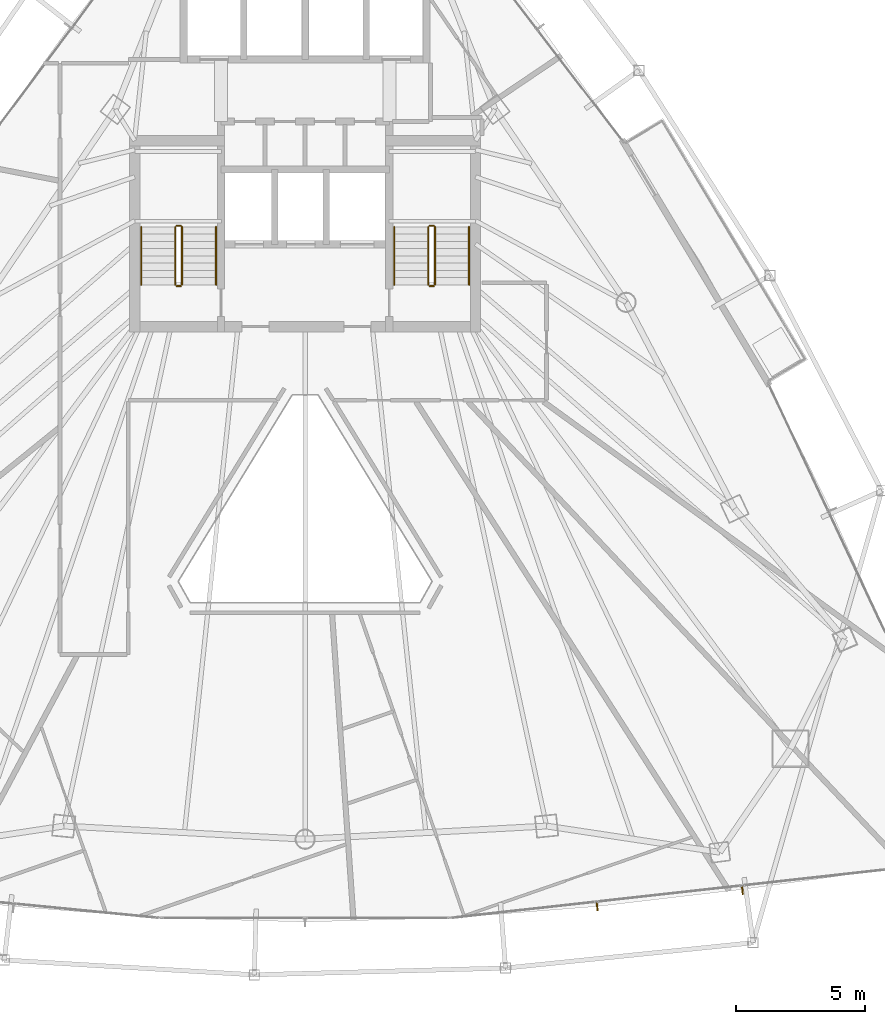
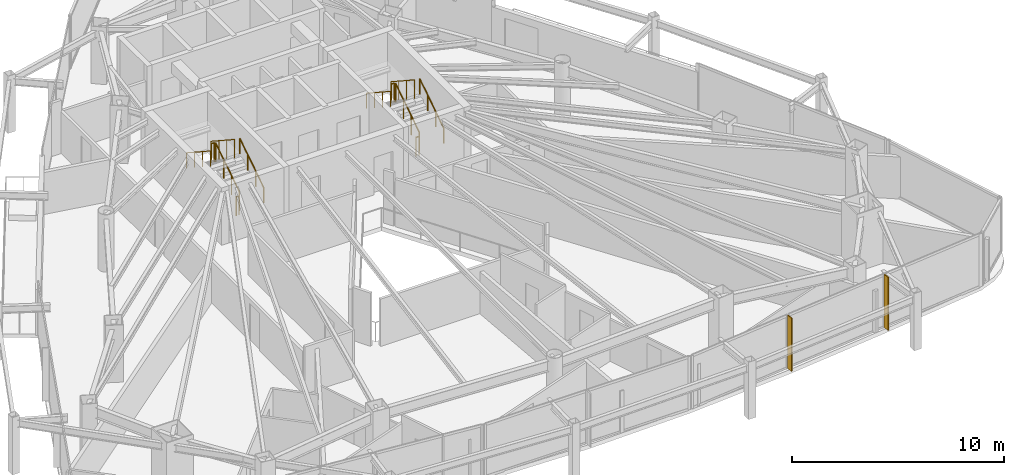
# One storey, part 28 of 29: 12 railings, 2 shading devices.
"""IFC4 building model written with IfcOpenShell, lengths in metres."""

from ifc_helpers import new_model, si_unit, direction, frame, origin, origin_2d, place, context, subcontext, project, spatial, rectangle, circle, extrude, material, layer, layer_set, type_object, element, save


model = new_model("IFC4")

# Units and contexts
model_context = context("Model", 3, precision=1e-05, world=origin(), true_north=direction((0.0, 1.0)))
body_context = subcontext(model_context, "Body", "Model", "MODEL_VIEW")
ifc_project = project(units=[si_unit("LENGTHUNIT", "METRE"), si_unit("AREAUNIT", "SQUARE_METRE"), si_unit("VOLUMEUNIT", "CUBIC_METRE"), si_unit("PLANEANGLEUNIT", "RADIAN"), si_unit("MASSUNIT", "GRAM", prefix="KILO")], contexts=[model_context])

# Site, building, storey
site_placement = place(None, origin())
site = spatial("IfcSite", under=ifc_project, at=site_placement, CompositionType="ELEMENT")
building_placement = place(site_placement, origin())
building = spatial("IfcBuilding", under=site, at=building_placement, Name="Orvanel Arch Residences", CompositionType="ELEMENT")
storey_placement = place(building_placement, frame((0.0, 0.0, 160.550048828125)))
storey = spatial("IfcBuildingStorey", under=building, at=storey_placement, Name="L45", CompositionType="ELEMENT", Elevation=160.550048828125)

# Shading devices
ifc_material_1 = material(Name="Bronze-anodised aluminium AA6063-T6", Category="aluminium")
ifc_layer = layer(ifc_material_1, 0.054931640625)
ifc_layer_set = layer_set([ifc_layer], Name="Bronze-anodised aluminium AA6063-T6")
shading_device_type = type_object("IfcShadingDeviceType", Name="FIN-BRZ-320", PredefinedType="USERDEFINED", material=ifc_layer_set)
for number, where, z_axis, x_axis, name in (
    (1, (44.31005859375, 4.235107421875, 0.0), (0.0, 0.0, 1.0), (0.109734311091, -0.993960955455, 0.0), "L45 Anodised Bronze Mullion FIN 01"),
    (2, (49.93798828125, 4.862060546875, 0.0), (0.0, 0.0, 1.0), (0.109734311091, -0.993960955455, 0.0), "L45 Anodised Bronze Mullion FIN 02"),
):
    element("IfcShadingDevice", number, at=place(storey_placement, frame(where, z_axis=z_axis, x_axis=x_axis)), inside=storey, type_object=shading_device_type, Name=name, ObjectType="FIN", PredefinedType="USERDEFINED", context=body_context, shape_type="SweptSolid", body=[
        extrude(rectangle(XDim=0.320068359375, YDim=0.054931640625, at=origin_2d()), origin(), (0.0, 0.0, 1.0), 3.06005859375),
    ])

# Railings
ifc_material_2 = material(Name="Structural steel AS/NZS 1163 C350L0 (Grade 350)", Category="steel")
railing_type_1 = type_object("IfcRailingType", Name="RL-STAIR-GUARD", PredefinedType="GUARDRAIL", material=ifc_material_2)
railing_1_placement = place(storey_placement, frame((28.22998046875, 28.320068359375, 0.183349609375)))
element("IfcRailing", 3, at=railing_1_placement, inside=storey, type_object=railing_type_1, Name="L45 ST-1 stair guard 1", PredefinedType="GUARDRAIL", context=body_context, shape_type="SweptSolid", body=[
    extrude(circle(Radius=0.02392578125, at=origin_2d()), frame((0.0, 0.001220703125, 1.076904296875), z_axis=(0.0, 0.836636935527, 0.547757827979), x_axis=(-1.0, 0.0, 0.0)), (0.0, 0.0, 1.0), 2.67431640625),
    extrude(circle(Radius=0.02099609375, at=origin_2d()), origin(), (0.0, 0.0, 1.0), 1.050048828125),
    extrude(circle(Radius=0.02099609375, at=origin_2d()), frame((0.0, 0.74658203125, 0.48876953125)), (0.0, 0.0, 1.0), 1.050048828125),
    extrude(circle(Radius=0.02099609375, at=origin_2d()), frame((0.0, 1.493408203125, 0.977783203125)), (0.0, 0.0, 1.0), 1.050048828125),
    extrude(circle(Radius=0.02099609375, at=origin_2d()), frame((0.0, 2.239990234375, 1.466552734375)), (0.0, 0.0, 1.0), 1.050048828125),
])
railing_2_placement = place(storey_placement, frame((28.179931640625, 30.610107421875, 1.64990234375)))
element("IfcRailing", 4, at=railing_2_placement, inside=storey, type_object=railing_type_1, Name="L45 ST-1 stair guard 2", PredefinedType="GUARDRAIL", context=body_context, shape_type="SweptSolid", body=[
    extrude(circle(Radius=0.02392578125, at=origin_2d()), frame((-0.00146484375, 0.0, 1.076171875), z_axis=(-1.0, 0.0, 0.0), x_axis=(0.0, -1.0, 0.0)), (0.0, 0.0, 1.0), 0.156982421875),
    extrude(circle(Radius=0.02099609375, at=origin_2d()), origin(), (0.0, 0.0, 1.0), 1.050048828125),
    extrude(circle(Radius=0.02099609375, at=origin_2d()), frame((-0.159912109375, 0.0, 0.0)), (0.0, 0.0, 1.0), 1.050048828125),
])
railing_3_placement = place(storey_placement, frame((27.969970703125, 30.56005859375, 1.833251953125)))
element("IfcRailing", 5, at=railing_3_placement, inside=storey, type_object=railing_type_1, Name="L45 ST-1 stair guard 3", PredefinedType="GUARDRAIL", context=body_context, shape_type="SweptSolid", body=[
    extrude(circle(Radius=0.02392578125, at=origin_2d()), frame((0.0, -0.001220703125, 1.076904296875), z_axis=(0.0, -0.836595146698, 0.547821650285), x_axis=(1.0, 0.0, 0.0)), (0.0, 0.0, 1.0), 2.674560546875),
    extrude(circle(Radius=0.02099609375, at=origin_2d()), origin(), (0.0, 0.0, 1.0), 1.050048828125),
    extrude(circle(Radius=0.02099609375, at=origin_2d()), frame((0.0, -0.74658203125, 0.489013671875)), (0.0, 0.0, 1.0), 1.050048828125),
    extrude(circle(Radius=0.02099609375, at=origin_2d()), frame((0.0, -1.493408203125, 0.977783203125)), (0.0, 0.0, 1.0), 1.050048828125),
    extrude(circle(Radius=0.02099609375, at=origin_2d()), frame((0.0, -2.239990234375, 1.466796875)), (0.0, 0.0, 1.0), 1.050048828125),
])
railing_4_placement = place(storey_placement, frame((28.179931640625, 28.27001953125, 0.0)))
element("IfcRailing", 6, at=railing_4_placement, inside=storey, type_object=railing_type_1, Name="L45 ST-1 stair guard 4", PredefinedType="GUARDRAIL", context=body_context, shape_type="SweptSolid", body=[
    extrude(circle(Radius=0.02392578125, at=origin_2d()), frame((-0.00146484375, 0.0, 1.076171875), z_axis=(-1.0, 0.0, 0.0), x_axis=(0.0, -1.0, 0.0)), (0.0, 0.0, 1.0), 0.156982421875),
    extrude(circle(Radius=0.02099609375, at=origin_2d()), origin(), (0.0, 0.0, 1.0), 1.050048828125),
    extrude(circle(Radius=0.02099609375, at=origin_2d()), frame((-0.159912109375, 0.0, 0.0)), (0.0, 0.0, 1.0), 1.050048828125),
])
railing_5_placement = place(storey_placement, frame((38.030029296875, 28.320068359375, 0.183349609375)))
element("IfcRailing", 7, at=railing_5_placement, inside=storey, type_object=railing_type_1, Name="L45 ST-2 stair guard 1", PredefinedType="GUARDRAIL", context=body_context, shape_type="SweptSolid", body=[
    extrude(circle(Radius=0.02392578125, at=origin_2d()), frame((0.0, 0.001220703125, 1.076904296875), z_axis=(0.0, 0.836636935527, 0.547757827979), x_axis=(-1.0, 0.0, 0.0)), (0.0, 0.0, 1.0), 2.67431640625),
    extrude(circle(Radius=0.02099609375, at=origin_2d()), origin(), (0.0, 0.0, 1.0), 1.050048828125),
    extrude(circle(Radius=0.02099609375, at=origin_2d()), frame((0.0, 0.74658203125, 0.48876953125)), (0.0, 0.0, 1.0), 1.050048828125),
    extrude(circle(Radius=0.02099609375, at=origin_2d()), frame((0.0, 1.493408203125, 0.977783203125)), (0.0, 0.0, 1.0), 1.050048828125),
    extrude(circle(Radius=0.02099609375, at=origin_2d()), frame((0.0, 2.239990234375, 1.466552734375)), (0.0, 0.0, 1.0), 1.050048828125),
])
railing_6_placement = place(storey_placement, frame((37.97998046875, 30.610107421875, 1.64990234375)))
element("IfcRailing", 8, at=railing_6_placement, inside=storey, type_object=railing_type_1, Name="L45 ST-2 stair guard 2", PredefinedType="GUARDRAIL", context=body_context, shape_type="SweptSolid", body=[
    extrude(circle(Radius=0.02392578125, at=origin_2d()), frame((-0.00146484375, 0.0, 1.076171875), z_axis=(-1.0, 0.0, 0.0), x_axis=(0.0, -1.0, 0.0)), (0.0, 0.0, 1.0), 0.156982421875),
    extrude(circle(Radius=0.02099609375, at=origin_2d()), origin(), (0.0, 0.0, 1.0), 1.050048828125),
    extrude(circle(Radius=0.02099609375, at=origin_2d()), frame((-0.159912109375, 0.0, 0.0)), (0.0, 0.0, 1.0), 1.050048828125),
])
railing_7_placement = place(storey_placement, frame((37.77001953125, 30.56005859375, 1.833251953125)))
element("IfcRailing", 9, at=railing_7_placement, inside=storey, type_object=railing_type_1, Name="L45 ST-2 stair guard 3", PredefinedType="GUARDRAIL", context=body_context, shape_type="SweptSolid", body=[
    extrude(circle(Radius=0.02392578125, at=origin_2d()), frame((0.0, -0.001220703125, 1.076904296875), z_axis=(0.0, -0.836595146698, 0.547821650285), x_axis=(1.0, 0.0, 0.0)), (0.0, 0.0, 1.0), 2.674560546875),
    extrude(circle(Radius=0.02099609375, at=origin_2d()), origin(), (0.0, 0.0, 1.0), 1.050048828125),
    extrude(circle(Radius=0.02099609375, at=origin_2d()), frame((0.0, -0.74658203125, 0.489013671875)), (0.0, 0.0, 1.0), 1.050048828125),
    extrude(circle(Radius=0.02099609375, at=origin_2d()), frame((0.0, -1.493408203125, 0.977783203125)), (0.0, 0.0, 1.0), 1.050048828125),
    extrude(circle(Radius=0.02099609375, at=origin_2d()), frame((0.0, -2.239990234375, 1.466796875)), (0.0, 0.0, 1.0), 1.050048828125),
])
railing_8_placement = place(storey_placement, frame((37.97998046875, 28.27001953125, 0.0)))
element("IfcRailing", 10, at=railing_8_placement, inside=storey, type_object=railing_type_1, Name="L45 ST-2 stair guard 4", PredefinedType="GUARDRAIL", context=body_context, shape_type="SweptSolid", body=[
    extrude(circle(Radius=0.02392578125, at=origin_2d()), frame((-0.00146484375, 0.0, 1.076171875), z_axis=(-1.0, 0.0, 0.0), x_axis=(0.0, -1.0, 0.0)), (0.0, 0.0, 1.0), 0.156982421875),
    extrude(circle(Radius=0.02099609375, at=origin_2d()), origin(), (0.0, 0.0, 1.0), 1.050048828125),
    extrude(circle(Radius=0.02099609375, at=origin_2d()), frame((-0.159912109375, 0.0, 0.0)), (0.0, 0.0, 1.0), 1.050048828125),
])
railing_type_2 = type_object("IfcRailingType", Name="RL-STAIR-HAND", PredefinedType="HANDRAIL", material=ifc_material_2)
railing_9_placement = place(storey_placement, frame((29.550048828125, 28.320068359375, 0.183349609375)))
element("IfcRailing", 11, at=railing_9_placement, inside=storey, type_object=railing_type_2, Name="L45 ST-1 stair handrail 1", PredefinedType="HANDRAIL", context=body_context, shape_type="SweptSolid", body=[
    extrude(circle(Radius=0.02392578125, at=origin_2d()), frame((0.0, 0.001220703125, 0.876708984375), z_axis=(0.0, 0.836636935527, 0.547757827979), x_axis=(-1.0, 0.0, 0.0)), (0.0, 0.0, 1.0), 2.67431640625),
    extrude(circle(Radius=0.02099609375, at=origin_2d()), origin(), (0.0, 0.0, 1.0), 0.849853515625),
    extrude(circle(Radius=0.02099609375, at=origin_2d()), frame((0.0, 0.74658203125, 0.48876953125)), (0.0, 0.0, 1.0), 0.849853515625),
    extrude(circle(Radius=0.02099609375, at=origin_2d()), frame((0.0, 1.493408203125, 0.977783203125)), (0.0, 0.0, 1.0), 0.849853515625),
    extrude(circle(Radius=0.02099609375, at=origin_2d()), frame((0.0, 2.239990234375, 1.466552734375)), (0.0, 0.0, 1.0), 0.849853515625),
])
railing_10_placement = place(storey_placement, frame((26.64990234375, 30.56005859375, 1.833251953125)))
element("IfcRailing", 12, at=railing_10_placement, inside=storey, type_object=railing_type_2, Name="L45 ST-1 stair handrail 2", PredefinedType="HANDRAIL", context=body_context, shape_type="SweptSolid", body=[
    extrude(circle(Radius=0.02392578125, at=origin_2d()), frame((0.0, -0.001220703125, 0.876708984375), z_axis=(0.0, -0.836595146698, 0.547821650285), x_axis=(1.0, 0.0, 0.0)), (0.0, 0.0, 1.0), 2.674560546875),
    extrude(circle(Radius=0.02099609375, at=origin_2d()), origin(), (0.0, 0.0, 1.0), 0.849853515625),
    extrude(circle(Radius=0.02099609375, at=origin_2d()), frame((0.0, -0.74658203125, 0.489013671875)), (0.0, 0.0, 1.0), 0.849853515625),
    extrude(circle(Radius=0.02099609375, at=origin_2d()), frame((0.0, -1.493408203125, 0.977783203125)), (0.0, 0.0, 1.0), 0.849853515625),
    extrude(circle(Radius=0.02099609375, at=origin_2d()), frame((0.0, -2.239990234375, 1.466796875)), (0.0, 0.0, 1.0), 0.849853515625),
])
railing_11_placement = place(storey_placement, frame((39.35009765625, 28.320068359375, 0.183349609375)))
element("IfcRailing", 13, at=railing_11_placement, inside=storey, type_object=railing_type_2, Name="L45 ST-2 stair handrail 1", PredefinedType="HANDRAIL", context=body_context, shape_type="SweptSolid", body=[
    extrude(circle(Radius=0.02392578125, at=origin_2d()), frame((0.0, 0.001220703125, 0.876708984375), z_axis=(0.0, 0.836636935527, 0.547757827979), x_axis=(-1.0, 0.0, 0.0)), (0.0, 0.0, 1.0), 2.67431640625),
    extrude(circle(Radius=0.02099609375, at=origin_2d()), origin(), (0.0, 0.0, 1.0), 0.849853515625),
    extrude(circle(Radius=0.02099609375, at=origin_2d()), frame((0.0, 0.74658203125, 0.48876953125)), (0.0, 0.0, 1.0), 0.849853515625),
    extrude(circle(Radius=0.02099609375, at=origin_2d()), frame((0.0, 1.493408203125, 0.977783203125)), (0.0, 0.0, 1.0), 0.849853515625),
    extrude(circle(Radius=0.02099609375, at=origin_2d()), frame((0.0, 2.239990234375, 1.466552734375)), (0.0, 0.0, 1.0), 0.849853515625),
])
railing_12_placement = place(storey_placement, frame((36.449951171875, 30.56005859375, 1.833251953125)))
element("IfcRailing", 14, at=railing_12_placement, inside=storey, type_object=railing_type_2, Name="L45 ST-2 stair handrail 2", PredefinedType="HANDRAIL", context=body_context, shape_type="SweptSolid", body=[
    extrude(circle(Radius=0.02392578125, at=origin_2d()), frame((0.0, -0.001220703125, 0.876708984375), z_axis=(0.0, -0.836595146698, 0.547821650285), x_axis=(1.0, 0.0, 0.0)), (0.0, 0.0, 1.0), 2.674560546875),
    extrude(circle(Radius=0.02099609375, at=origin_2d()), origin(), (0.0, 0.0, 1.0), 0.849853515625),
    extrude(circle(Radius=0.02099609375, at=origin_2d()), frame((0.0, -0.74658203125, 0.489013671875)), (0.0, 0.0, 1.0), 0.849853515625),
    extrude(circle(Radius=0.02099609375, at=origin_2d()), frame((0.0, -1.493408203125, 0.977783203125)), (0.0, 0.0, 1.0), 0.849853515625),
    extrude(circle(Radius=0.02099609375, at=origin_2d()), frame((0.0, -2.239990234375, 1.466796875)), (0.0, 0.0, 1.0), 0.849853515625),
])

save(model, "model.ifc")
